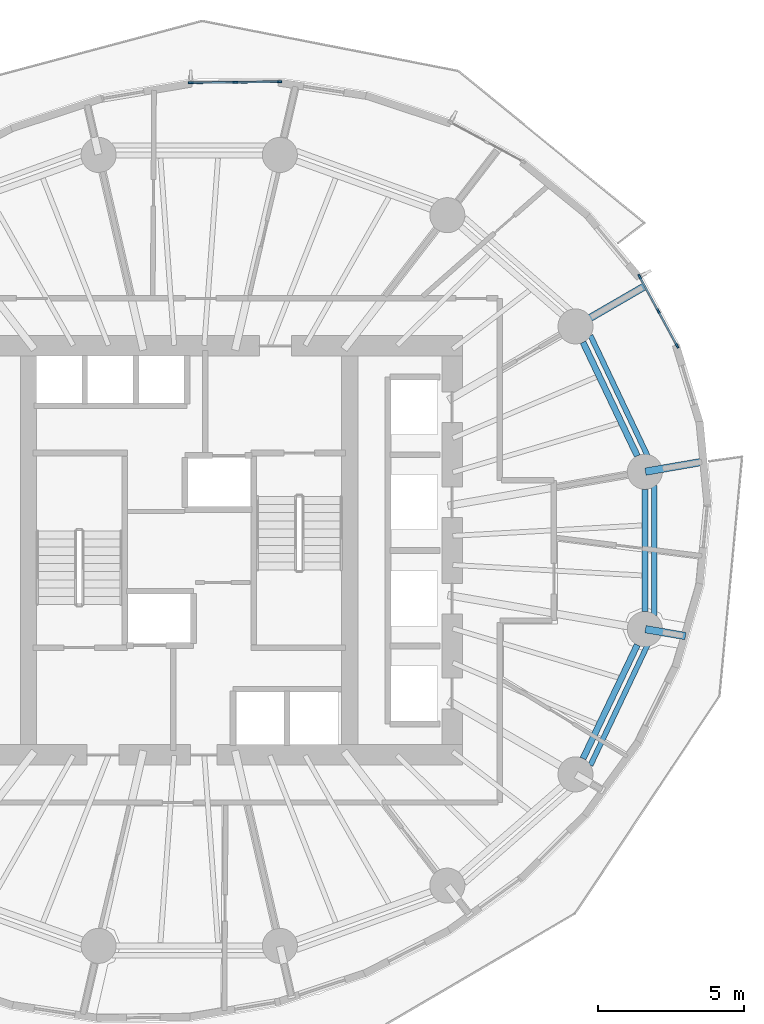
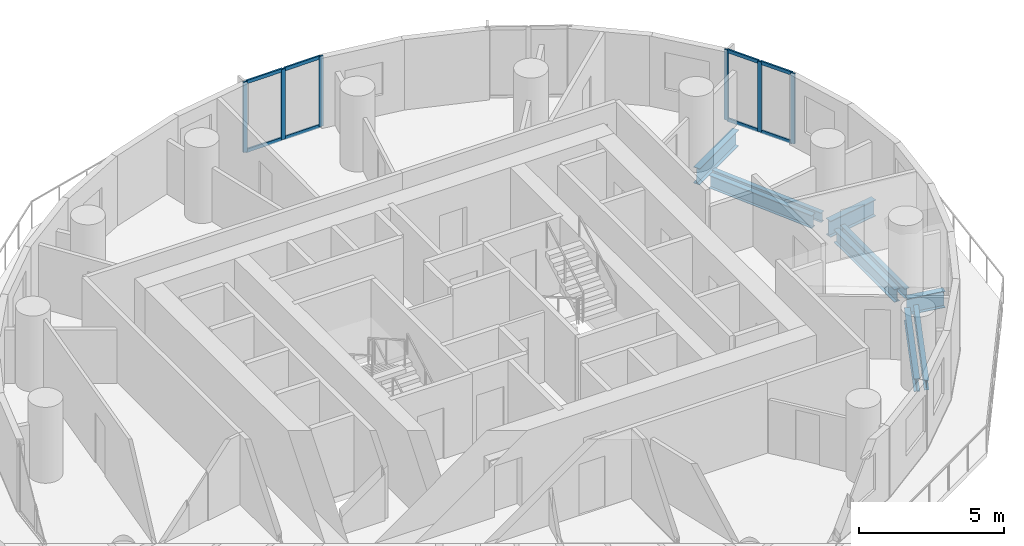
# One storey, part 5 of 14: 14 members, 9 beams, 2 elements without a shape of their own.
"""IFC4 building model written with IfcOpenShell, lengths in metres."""

from ifc_helpers import new_model, si_unit, direction, frame, origin, origin_2d, place, context, subcontext, project, spatial, rectangle, i_section, extrude, material, material_profile, profile_set, type_object, element, aggregate, save


model = new_model("IFC4")

# Units and contexts
model_context = context("Model", 3, precision=1e-05, world=origin(), true_north=direction((0.0, 1.0)))
body_context = subcontext(model_context, "Body", "Model", "MODEL_VIEW")
ifc_project = project(units=[si_unit("LENGTHUNIT", "METRE"), si_unit("AREAUNIT", "SQUARE_METRE"), si_unit("VOLUMEUNIT", "CUBIC_METRE"), si_unit("PLANEANGLEUNIT", "RADIAN"), si_unit("MASSUNIT", "GRAM", prefix="KILO")], contexts=[model_context])

# Site, building, storey
site_placement = place(None, origin())
site = spatial("IfcSite", under=ifc_project, at=site_placement, CompositionType="ELEMENT")
building_placement = place(site_placement, origin())
building = spatial("IfcBuilding", under=site, at=building_placement, Name="Veldorim Arch Residences", CompositionType="ELEMENT")
storey_placement = place(building_placement, frame((0.0, 0.0, 96.47998046875)))
storey = spatial("IfcBuildingStorey", under=building, at=storey_placement, Name="L28", CompositionType="ELEMENT", Elevation=96.47998046875)

# Beams
ifc_material_1 = material(Name="Steel S355", Category="steel")
ifc_material_profile_1 = material_profile(ifc_material_1, i_section(OverallWidth=0.2119140625, OverallDepth=0.54443359375, WebThickness=0.0126953125, FlangeThickness=0.021240234375, at=origin_2d()), Name="UB533x210x122")
ifc_profile_set_1 = profile_set([ifc_material_profile_1], Name="Steel S355")
beam_type_1 = type_object("IfcBeamType", Name="Structural Steel Beam UB533x210x122", PredefinedType="BEAM", material=ifc_profile_set_1)
for number, where, z_axis, x_axis, name in (
    (1, (47.336181640625, 27.233642578125, -0.51220703125), (-0.430720154476, 0.902485539235, 0.0), (-0.902485539235, -0.430720154476, 0.0), "L28 perimeter ring tie beam 01"),
    (2, (45.478759765625, 16.87451171875, -0.51220703125), (0.430720154476, 0.902485539235, 0.0), (-0.902485539235, 0.430720154476, 0.0), "L28 perimeter ring tie beam 15"),
):
    element("IfcBeam", number, at=place(storey_placement, frame(where, z_axis=z_axis, x_axis=x_axis)), inside=storey, type_object=beam_type_1, Name=name, PredefinedType="BEAM", context=body_context, shape_type="SweptSolid", body=[
        extrude(i_section(OverallWidth=0.2119140625, OverallDepth=0.54443359375, WebThickness=0.0126953125, FlangeThickness=0.021240234375, at=origin_2d()), origin(), (0.0, 0.0, 1.0), 4.312255859375),
    ])
beam_1_placement = place(storey_placement, frame((47.594482421875, 21.90771484375, -0.51220703125), z_axis=(0.0, 1.0, 0.0), x_axis=(-1.0, 0.0, 0.0)))
element("IfcBeam", 3, at=beam_1_placement, inside=storey, type_object=beam_type_1, Name="L28 perimeter ring tie beam 16", PredefinedType="BEAM", context=body_context, shape_type="SweptSolid", body=[
    extrude(i_section(OverallWidth=0.2119140625, OverallDepth=0.54443359375, WebThickness=0.0126953125, FlangeThickness=0.021240234375, at=origin_2d()), origin(), (0.0, 0.0, 1.0), 4.1845703125),
])
ifc_material_2 = material(Name="Steel S355", Category="steel")
ifc_material_profile_2 = material_profile(ifc_material_2, i_section(OverallWidth=0.25439453125, OverallDepth=0.6875, WebThickness=0.01318359375, FlangeThickness=0.02099609375, at=origin_2d()), Name="UB686x254x152")
ifc_profile_set_2 = profile_set([ifc_material_profile_2], Name="Steel S355")
beam_type_2 = type_object("IfcBeamType", Name="Structural Steel GIRDER UB686x254x152", PredefinedType="USERDEFINED", material=ifc_profile_set_2)
beam_2_placement = place(storey_placement, frame((47.6142578125, 26.695556640625, -0.583740234375), z_axis=(0.985413092061, 0.170179428821, 0.0), x_axis=(-0.170179428821, 0.985413092061, 0.0)))
element("IfcBeam", 4, at=beam_2_placement, inside=storey, type_object=beam_type_2, Name="L28 radial edge cantilever girder 01", ObjectType="GIRDER", PredefinedType="USERDEFINED", context=body_context, shape_type="SweptSolid", body=[
    extrude(i_section(OverallWidth=0.25439453125, OverallDepth=0.6875, WebThickness=0.01318359375, FlangeThickness=0.02099609375, at=origin_2d()), origin(), (0.0, 0.0, 1.0), 2.0400390625),
])
beam_3_placement = place(storey_placement, frame((45.23779296875, 31.677001953125, -0.583740234375), z_axis=(0.865074923998, 0.50164267748, 0.0), x_axis=(-0.50164267748, 0.865074923998, 0.0)))
element("IfcBeam", 5, at=beam_3_placement, inside=storey, type_object=beam_type_2, Name="L28 radial edge cantilever girder 02", ObjectType="GIRDER", PredefinedType="USERDEFINED", context=body_context, shape_type="SweptSolid", body=[
    extrude(i_section(OverallWidth=0.25439453125, OverallDepth=0.6875, WebThickness=0.01318359375, FlangeThickness=0.02099609375, at=origin_2d()), origin(), (0.0, 0.0, 1.0), 2.713134765625),
])
beam_4_placement = place(storey_placement, frame((47.6142578125, 21.304443359375, -0.583740234375), z_axis=(0.985409418186, -0.170200700791, 0.0), x_axis=(0.170200700791, 0.985409418186, 0.0)))
element("IfcBeam", 6, at=beam_4_placement, inside=storey, type_object=beam_type_2, Name="L28 radial edge cantilever girder 16", ObjectType="GIRDER", PredefinedType="USERDEFINED", context=body_context, shape_type="SweptSolid", body=[
    extrude(i_section(OverallWidth=0.25439453125, OverallDepth=0.6875, WebThickness=0.01318359375, FlangeThickness=0.02099609375, at=origin_2d()), origin(), (0.0, 0.0, 1.0), 1.391357421875),
])
ifc_material_3 = material(Name="Steel S355", Category="steel")
ifc_material_profile_3 = material_profile(ifc_material_3, i_section(OverallWidth=0.1787109375, OverallDepth=0.409423828125, WebThickness=0.0087890625, FlangeThickness=0.014404296875, at=origin_2d()), Name="UB406x178x67")
ifc_profile_set_3 = profile_set([ifc_material_profile_3], Name="Steel S355")
beam_type_3 = type_object("IfcBeamType", Name="Structural Steel Spandrel UB406x178x67", PredefinedType="SPANDREL", material=ifc_profile_set_3)
for number, where, z_axis, x_axis, name in (
    (7, (47.693115234375, 27.225341796875, -0.464599609375), (-0.428857472204, 0.903372165021, 0.0), (-0.903372165021, -0.428857472204, 0.0), "L28 perimeter chord spandrel beam 01"),
    (8, (45.732421875, 16.64453125, -0.464599609375), (0.428857472204, 0.903372165021, 0.0), (-0.903372165021, 0.428857472204, 0.0), "L28 perimeter chord spandrel beam 15"),
):
    element("IfcBeam", number, at=place(storey_placement, frame(where, z_axis=z_axis, x_axis=x_axis)), inside=storey, type_object=beam_type_3, Name=name, PredefinedType="SPANDREL", context=body_context, shape_type="SweptSolid", body=[
        extrude(i_section(OverallWidth=0.1787109375, OverallDepth=0.409423828125, WebThickness=0.0087890625, FlangeThickness=0.014404296875, at=origin_2d()), origin(), (0.0, 0.0, 1.0), 4.572021484375),
    ])
beam_5_placement = place(storey_placement, frame((47.919677734375, 21.77978515625, -0.464599609375), z_axis=(0.0, 1.0, 0.0), x_axis=(-1.0, 0.0, 0.0)))
element("IfcBeam", 9, at=beam_5_placement, inside=storey, type_object=beam_type_3, Name="L28 perimeter chord spandrel beam 16", PredefinedType="SPANDREL", context=body_context, shape_type="SweptSolid", body=[
    extrude(i_section(OverallWidth=0.1787109375, OverallDepth=0.409423828125, WebThickness=0.0087890625, FlangeThickness=0.014404296875, at=origin_2d()), origin(), (0.0, 0.0, 1.0), 4.4404296875),
])

# Curtain wall, members
ifc_material_4 = material(Name="Aluminium", Category="aluminium")
curtain_wall_type = type_object("IfcCurtainWallType", Name="Zone 2 Solar-Control Unitised Curtain Wall", PredefinedType="NOTDEFINED", material=ifc_material_4)
curtain_wall_1_placement = place(storey_placement, origin())
curtain_wall_1 = element("IfcCurtainWall", 10, at=curtain_wall_1_placement, inside=storey, type_object=curtain_wall_type, Name="L28 unitised curtain wall bay 01", PredefinedType="NOTDEFINED")
ifc_material_5 = material(Name="Aluminium", Category="aluminium")
ifc_material_profile_4 = material_profile(ifc_material_5, rectangle(XDim=0.06494140625, YDim=0.1650390625, at=origin_2d()), Name="ALU_MUL_65x165")
ifc_profile_set_4 = profile_set([ifc_material_profile_4], Name="Aluminium")
member_type_1 = type_object("IfcMemberType", Name="Zone 2 Solar-Control Unitised Curtain Wall Mullion 65x165", PredefinedType="MULLION", material=ifc_profile_set_4)
member_1_placement = place(storey_placement, frame((47.416015625, 33.37109375, 0.0), z_axis=(0.0, 0.0, 1.0), x_axis=(0.87936599291, 0.4761464591, 0.0)))
member_1 = element("IfcMember", 11, at=member_1_placement, type_object=member_type_1, Name="CW-Z2 mullion 1", PredefinedType="MULLION", context=body_context, shape_type="SweptSolid", body=[
    extrude(rectangle(XDim=0.06494140625, YDim=0.1650390625, at=origin_2d()), origin(), (0.0, 0.0, 1.0), 2.9599609375),
])
member_2_placement = place(storey_placement, frame((48.056884765625, 32.187255859375, 0.0), z_axis=(0.0, 0.0, 1.0), x_axis=(0.87936599291, 0.4761464591, 0.0)))
member_2 = element("IfcMember", 12, at=member_2_placement, type_object=member_type_1, Name="CW-Z2 mullion 2", PredefinedType="MULLION", context=body_context, shape_type="SweptSolid", body=[
    extrude(rectangle(XDim=0.06494140625, YDim=0.1650390625, at=origin_2d()), origin(), (0.0, 0.0, 1.0), 2.9599609375),
])
member_3_placement = place(storey_placement, frame((48.697998046875, 31.003173828125, 0.0), z_axis=(0.0, 0.0, 1.0), x_axis=(0.87936599291, 0.4761464591, 0.0)))
member_3 = element("IfcMember", 13, at=member_3_placement, type_object=member_type_1, Name="CW-Z2 mullion 3", PredefinedType="MULLION", context=body_context, shape_type="SweptSolid", body=[
    extrude(rectangle(XDim=0.06494140625, YDim=0.1650390625, at=origin_2d()), origin(), (0.0, 0.0, 1.0), 2.9599609375),
])

curtain_wall_2_placement = place(storey_placement, origin())
curtain_wall_2 = element("IfcCurtainWall", 14, at=curtain_wall_2_placement, inside=storey, type_object=curtain_wall_type, Name="L28 unitised curtain wall bay 07", PredefinedType="NOTDEFINED")
member_4_placement = place(storey_placement, frame((32.052001953125, 40.009521484375, 0.0), z_axis=(0.0, 0.0, 1.0), x_axis=(-0.01118671332, 0.999937426765, 0.0)))
member_4 = element("IfcMember", 15, at=member_4_placement, type_object=member_type_1, Name="CW-Z2 mullion 1", PredefinedType="MULLION", context=body_context, shape_type="SweptSolid", body=[
    extrude(rectangle(XDim=0.06494140625, YDim=0.1650390625, at=origin_2d()), origin(), (0.0, 0.0, 1.0), 2.9599609375),
])
member_5_placement = place(storey_placement, frame((33.570556640625, 40.026611328125, 0.0), z_axis=(0.0, 0.0, 1.0), x_axis=(-0.01118671332, 0.999937426765, 0.0)))
member_5 = element("IfcMember", 16, at=member_5_placement, type_object=member_type_1, Name="CW-Z2 mullion 2", PredefinedType="MULLION", context=body_context, shape_type="SweptSolid", body=[
    extrude(rectangle(XDim=0.06494140625, YDim=0.1650390625, at=origin_2d()), origin(), (0.0, 0.0, 1.0), 2.9599609375),
])
member_6_placement = place(storey_placement, frame((35.0888671875, 40.04345703125, 0.0), z_axis=(0.0, 0.0, 1.0), x_axis=(-0.01118671332, 0.999937426765, 0.0)))
member_6 = element("IfcMember", 17, at=member_6_placement, type_object=member_type_1, Name="CW-Z2 mullion 3", PredefinedType="MULLION", context=body_context, shape_type="SweptSolid", body=[
    extrude(rectangle(XDim=0.06494140625, YDim=0.1650390625, at=origin_2d()), origin(), (0.0, 0.0, 1.0), 2.9599609375),
])

# Member
ifc_material_6 = material(Name="Aluminium", Category="aluminium")
ifc_material_profile_5 = material_profile(ifc_material_6, rectangle(XDim=0.06494140625, YDim=0.14501953125, at=origin_2d()), Name="ALU_TRN_65x145")
ifc_profile_set_5 = profile_set([ifc_material_profile_5], Name="Aluminium")
member_type_2 = type_object("IfcMemberType", Name="Zone 2 Solar-Control Unitised Curtain Wall Transom 65x145", PredefinedType="USERDEFINED", material=ifc_profile_set_5)
member_7_placement = place(storey_placement, frame((47.431396484375, 33.342529296875, 0.032470703125), z_axis=(0.476166516797, -0.879355132061, 0.0), x_axis=(0.879355132061, 0.476166516797, 0.0)))
member_7 = element("IfcMember", 18, at=member_7_placement, type_object=member_type_2, Name="CW-Z2 transom 1.1", ObjectType="TRANSOM", PredefinedType="USERDEFINED", context=body_context, shape_type="SweptSolid", body=[
    extrude(rectangle(XDim=0.06494140625, YDim=0.14501953125, at=origin_2d()), origin(), (0.0, 0.0, 1.0), 1.28125),
])

member_8_placement = place(storey_placement, frame((47.431396484375, 33.342529296875, 2.927490234375), z_axis=(0.476166516797, -0.879355132061, 0.0), x_axis=(0.879355132061, 0.476166516797, 0.0)))
member_8 = element("IfcMember", 19, at=member_8_placement, type_object=member_type_2, Name="CW-Z2 transom 1.2", ObjectType="TRANSOM", PredefinedType="USERDEFINED", context=body_context, shape_type="SweptSolid", body=[
    extrude(rectangle(XDim=0.06494140625, YDim=0.14501953125, at=origin_2d()), origin(), (0.0, 0.0, 1.0), 1.28125),
])

member_9_placement = place(storey_placement, frame((48.072509765625, 32.15869140625, 0.032470703125), z_axis=(0.476086744214, -0.879398323846, 0.0), x_axis=(0.879398323846, 0.476086744214, 0.0)))
member_9 = element("IfcMember", 20, at=member_9_placement, type_object=member_type_2, Name="CW-Z2 transom 2.1", ObjectType="TRANSOM", PredefinedType="USERDEFINED", context=body_context, shape_type="SweptSolid", body=[
    extrude(rectangle(XDim=0.06494140625, YDim=0.14501953125, at=origin_2d()), origin(), (0.0, 0.0, 1.0), 1.281494140625),
])

member_10_placement = place(storey_placement, frame((48.072509765625, 32.15869140625, 2.927490234375), z_axis=(0.476086744214, -0.879398323846, 0.0), x_axis=(0.879398323846, 0.476086744214, 0.0)))
member_10 = element("IfcMember", 21, at=member_10_placement, type_object=member_type_2, Name="CW-Z2 transom 2.2", ObjectType="TRANSOM", PredefinedType="USERDEFINED", context=body_context, shape_type="SweptSolid", body=[
    extrude(rectangle(XDim=0.06494140625, YDim=0.14501953125, at=origin_2d()), origin(), (0.0, 0.0, 1.0), 1.281494140625),
])

aggregate(curtain_wall_1, [member_1, member_2, member_3, member_7, member_8, member_9, member_10])

member_11_placement = place(storey_placement, frame((32.084716796875, 40.010009765625, 0.032470703125), z_axis=(0.999938525928, 0.011088028009, 0.0), x_axis=(-0.011088028009, 0.999938525928, 0.0)))
member_11 = element("IfcMember", 22, at=member_11_placement, type_object=member_type_2, Name="CW-Z2 transom 1.1", ObjectType="TRANSOM", PredefinedType="USERDEFINED", context=body_context, shape_type="SweptSolid", body=[
    extrude(rectangle(XDim=0.06494140625, YDim=0.14501953125, at=origin_2d()), origin(), (0.0, 0.0, 1.0), 1.453125),
])

member_12_placement = place(storey_placement, frame((32.084716796875, 40.010009765625, 2.927490234375), z_axis=(0.999938525928, 0.011088028009, 0.0), x_axis=(-0.011088028009, 0.999938525928, 0.0)))
member_12 = element("IfcMember", 23, at=member_12_placement, type_object=member_type_2, Name="CW-Z2 transom 1.2", ObjectType="TRANSOM", PredefinedType="USERDEFINED", context=body_context, shape_type="SweptSolid", body=[
    extrude(rectangle(XDim=0.06494140625, YDim=0.14501953125, at=origin_2d()), origin(), (0.0, 0.0, 1.0), 1.453125),
])

member_13_placement = place(storey_placement, frame((33.60302734375, 40.02685546875, 0.032470703125), z_axis=(0.999936670423, 0.011254116734, 0.0), x_axis=(-0.011254116734, 0.999936670423, 0.0)))
member_13 = element("IfcMember", 24, at=member_13_placement, type_object=member_type_2, Name="CW-Z2 transom 2.1", ObjectType="TRANSOM", PredefinedType="USERDEFINED", context=body_context, shape_type="SweptSolid", body=[
    extrude(rectangle(XDim=0.06494140625, YDim=0.14501953125, at=origin_2d()), origin(), (0.0, 0.0, 1.0), 1.453369140625),
])

member_14_placement = place(storey_placement, frame((33.60302734375, 40.02685546875, 2.927490234375), z_axis=(0.999936670423, 0.011254116734, 0.0), x_axis=(-0.011254116734, 0.999936670423, 0.0)))
member_14 = element("IfcMember", 25, at=member_14_placement, type_object=member_type_2, Name="CW-Z2 transom 2.2", ObjectType="TRANSOM", PredefinedType="USERDEFINED", context=body_context, shape_type="SweptSolid", body=[
    extrude(rectangle(XDim=0.06494140625, YDim=0.14501953125, at=origin_2d()), origin(), (0.0, 0.0, 1.0), 1.453369140625),
])

aggregate(curtain_wall_2, [member_4, member_5, member_6, member_11, member_12, member_13, member_14])

save(model, "model.ifc")
